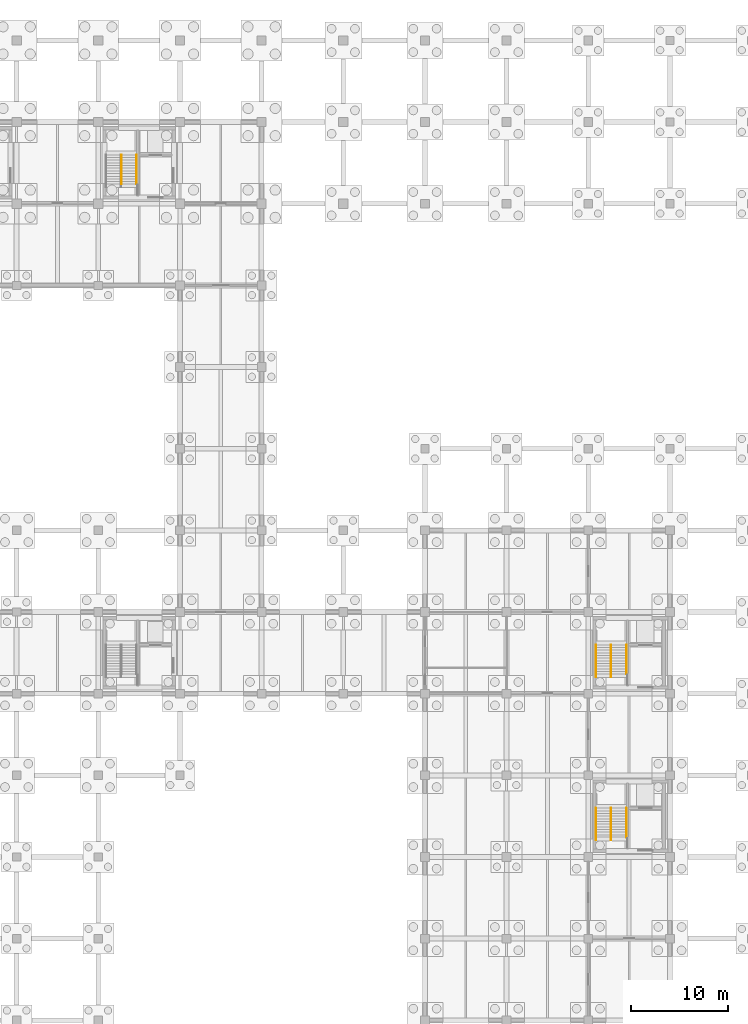
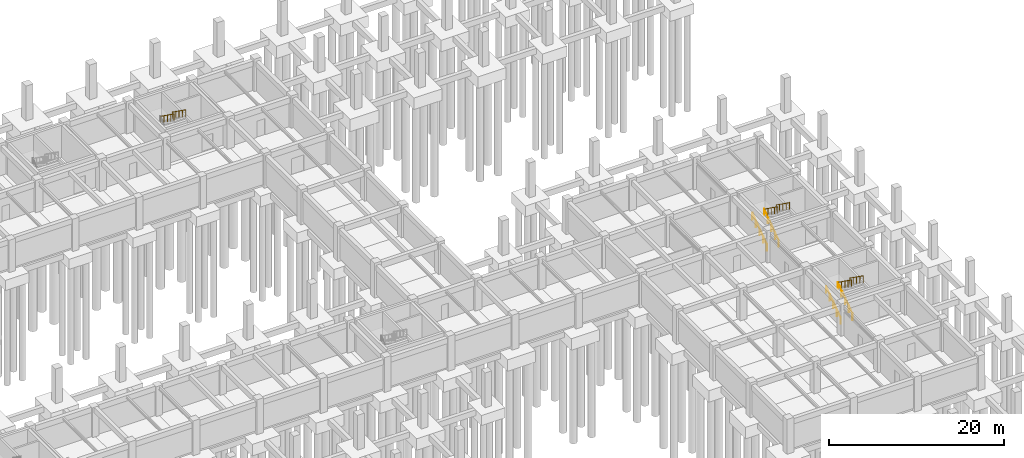
# One storey, part 28 of 29: 10 railings.
"""IFC4 building model written with IfcOpenShell, lengths in metres."""

from ifc_helpers import new_model, si_unit, direction, frame, origin, origin_2d, place, context, subcontext, project, spatial, circle, extrude, material, type_object, element, save


model = new_model("IFC4")

# Units and contexts
model_context = context("Model", 3, precision=1e-05, world=origin(), true_north=direction((0.0, 1.0)))
body_context = subcontext(model_context, "Body", "Model", "MODEL_VIEW")
ifc_project = project(units=[si_unit("LENGTHUNIT", "METRE"), si_unit("AREAUNIT", "SQUARE_METRE"), si_unit("VOLUMEUNIT", "CUBIC_METRE"), si_unit("PLANEANGLEUNIT", "RADIAN"), si_unit("MASSUNIT", "GRAM", prefix="KILO")], contexts=[model_context])

# Site, building, storey
site_placement = place(None, origin())
site = spatial("IfcSite", under=ifc_project, at=site_placement, CompositionType="ELEMENT")
building_placement = place(site_placement, origin())
building = spatial("IfcBuilding", under=site, at=building_placement, Name="Porcellanite Civic Hall", CompositionType="ELEMENT")
storey_placement = place(building_placement, frame((0.0, 0.0, -4.5)))
storey = spatial("IfcBuildingStorey", under=building, at=storey_placement, Name="B1", CompositionType="ELEMENT", Elevation=-4.5)

# Railings
ifc_material_1 = material(Name="Brushed stainless steel 316", Category="steel")
railing_type_1 = type_object("IfcRailingType", Name="RL-HR920", PredefinedType="HANDRAIL", material=ifc_material_1)
railing_1_placement = place(storey_placement, frame((111.56494140625, 105.824951171875, 2.340087890625)))
element("IfcRailing", 1, at=railing_1_placement, inside=storey, type_object=railing_type_1, Name="Stair handrail ST-04 B1 3", PredefinedType="HANDRAIL", context=body_context, shape_type="SweptSolid", body=[
    extrude(circle(Radius=0.02197265625, at=origin_2d()), frame((0.0, 0.0, 0.89794921875), z_axis=(0.0, -0.813826661234, 0.581107705564), x_axis=(1.0, 0.0, 0.0)), (0.0, 0.0, 1.0), 3.716796875),
    extrude(circle(Radius=0.01904296875, at=origin_2d()), origin(), (0.0, 0.0, 1.0), 0.8759765625),
    extrude(circle(Radius=0.01904296875, at=origin_2d()), frame((0.0, -0.75634765625, 0.5400390625)), (0.0, 0.0, 1.0), 0.8759765625),
    extrude(circle(Radius=0.01904296875, at=origin_2d()), frame((0.0, -1.512451171875, 1.080078125)), (0.0, 0.0, 1.0), 0.8759765625),
    extrude(circle(Radius=0.01904296875, at=origin_2d()), frame((0.0, -2.2685546875, 1.619873046875)), (0.0, 0.0, 1.0), 0.8759765625),
    extrude(circle(Radius=0.01904296875, at=origin_2d()), frame((0.0, -3.02490234375, 2.159912109375)), (0.0, 0.0, 1.0), 0.8759765625),
])
railing_2_placement = place(storey_placement, frame((160.385009765625, 35.324951171875, 0.0)))
element("IfcRailing", 2, at=railing_2_placement, inside=storey, type_object=railing_type_1, Name="Stair handrail ST-07 B1 1", PredefinedType="HANDRAIL", context=body_context, shape_type="SweptSolid", body=[
    extrude(circle(Radius=0.02197265625, at=origin_2d()), frame((0.0, 0.0, 0.89794921875), z_axis=(0.0, 0.815726678323, 0.578437538782), x_axis=(-1.0, 0.0, 0.0)), (0.0, 0.0, 1.0), 4.045654296875),
    extrude(circle(Radius=0.01904296875, at=origin_2d()), origin(), (0.0, 0.0, 1.0), 0.8759765625),
    extrude(circle(Radius=0.01904296875, at=origin_2d()), frame((0.0, 0.824951171875, 0.5849609375)), (0.0, 0.0, 1.0), 0.8759765625),
    extrude(circle(Radius=0.01904296875, at=origin_2d()), frame((0.0, 1.64990234375, 1.169921875)), (0.0, 0.0, 1.0), 0.8759765625),
    extrude(circle(Radius=0.01904296875, at=origin_2d()), frame((0.0, 2.47509765625, 1.755126953125)), (0.0, 0.0, 1.0), 0.8759765625),
    extrude(circle(Radius=0.01904296875, at=origin_2d()), frame((0.0, 3.300048828125, 2.340087890625)), (0.0, 0.0, 1.0), 0.8759765625),
])
railing_3_placement = place(storey_placement, frame((161.965087890625, 38.625, 2.340087890625)))
element("IfcRailing", 3, at=railing_3_placement, inside=storey, type_object=railing_type_1, Name="Stair handrail ST-07 B1 3", PredefinedType="HANDRAIL", context=body_context, shape_type="SweptSolid", body=[
    extrude(circle(Radius=0.02197265625, at=origin_2d()), frame((0.0, 0.0, 0.89794921875), z_axis=(0.0, -0.813826661234, 0.581107705564), x_axis=(1.0, 0.0, 0.0)), (0.0, 0.0, 1.0), 3.716796875),
    extrude(circle(Radius=0.01904296875, at=origin_2d()), origin(), (0.0, 0.0, 1.0), 0.8759765625),
    extrude(circle(Radius=0.01904296875, at=origin_2d()), frame((0.0, -0.75634765625, 0.5400390625)), (0.0, 0.0, 1.0), 0.8759765625),
    extrude(circle(Radius=0.01904296875, at=origin_2d()), frame((0.0, -1.512451171875, 1.080078125)), (0.0, 0.0, 1.0), 0.8759765625),
    extrude(circle(Radius=0.01904296875, at=origin_2d()), frame((0.0, -2.2685546875, 1.619873046875)), (0.0, 0.0, 1.0), 0.8759765625),
    extrude(circle(Radius=0.01904296875, at=origin_2d()), frame((0.0, -3.02490234375, 2.159912109375)), (0.0, 0.0, 1.0), 0.8759765625),
])
railing_4_placement = place(storey_placement, frame((160.385009765625, 52.125, 0.0)))
element("IfcRailing", 4, at=railing_4_placement, inside=storey, type_object=railing_type_1, Name="Stair handrail ST-08 B1 1", PredefinedType="HANDRAIL", context=body_context, shape_type="SweptSolid", body=[
    extrude(circle(Radius=0.02197265625, at=origin_2d()), frame((0.0, 0.0, 0.89794921875), z_axis=(0.0, 0.815726678323, 0.578437538782), x_axis=(-1.0, 0.0, 0.0)), (0.0, 0.0, 1.0), 4.045654296875),
    extrude(circle(Radius=0.01904296875, at=origin_2d()), origin(), (0.0, 0.0, 1.0), 0.8759765625),
    extrude(circle(Radius=0.01904296875, at=origin_2d()), frame((0.0, 0.824951171875, 0.5849609375)), (0.0, 0.0, 1.0), 0.8759765625),
    extrude(circle(Radius=0.01904296875, at=origin_2d()), frame((0.0, 1.64990234375, 1.169921875)), (0.0, 0.0, 1.0), 0.8759765625),
    extrude(circle(Radius=0.01904296875, at=origin_2d()), frame((0.0, 2.47509765625, 1.755126953125)), (0.0, 0.0, 1.0), 0.8759765625),
    extrude(circle(Radius=0.01904296875, at=origin_2d()), frame((0.0, 3.300048828125, 2.340087890625)), (0.0, 0.0, 1.0), 0.8759765625),
])
railing_5_placement = place(storey_placement, frame((161.965087890625, 55.425048828125, 2.340087890625)))
element("IfcRailing", 5, at=railing_5_placement, inside=storey, type_object=railing_type_1, Name="Stair handrail ST-08 B1 3", PredefinedType="HANDRAIL", context=body_context, shape_type="SweptSolid", body=[
    extrude(circle(Radius=0.02197265625, at=origin_2d()), frame((0.0, 0.0, 0.89794921875), z_axis=(0.0, -0.813848840085, 0.581076643389), x_axis=(1.0, 0.0, 0.0)), (0.0, 0.0, 1.0), 3.717041015625),
    extrude(circle(Radius=0.01904296875, at=origin_2d()), origin(), (0.0, 0.0, 1.0), 0.8759765625),
    extrude(circle(Radius=0.01904296875, at=origin_2d()), frame((0.0, -0.75634765625, 0.5400390625)), (0.0, 0.0, 1.0), 0.8759765625),
    extrude(circle(Radius=0.01904296875, at=origin_2d()), frame((0.0, -1.5126953125, 1.080078125)), (0.0, 0.0, 1.0), 0.8759765625),
    extrude(circle(Radius=0.01904296875, at=origin_2d()), frame((0.0, -2.268798828125, 1.619873046875)), (0.0, 0.0, 1.0), 0.8759765625),
    extrude(circle(Radius=0.01904296875, at=origin_2d()), frame((0.0, -3.025146484375, 2.159912109375)), (0.0, 0.0, 1.0), 0.8759765625),
])
ifc_material_2 = material(Name="Brushed stainless steel 316", Category="steel")
railing_type_2 = type_object("IfcRailingType", Name="RL-HR950", PredefinedType="HANDRAIL", material=ifc_material_2)
railing_6_placement = place(storey_placement, frame((113.114990234375, 105.824951171875, 2.340087890625)))
element("IfcRailing", 6, at=railing_6_placement, inside=storey, type_object=railing_type_2, Name="Stair handrail ST-04 B1 4", PredefinedType="HANDRAIL", context=body_context, shape_type="SweptSolid", body=[
    extrude(circle(Radius=0.02197265625, at=origin_2d()), frame((0.0, 0.0, 0.927978515625), z_axis=(0.0, -0.813826661234, 0.581107705564), x_axis=(1.0, 0.0, 0.0)), (0.0, 0.0, 1.0), 3.716796875),
    extrude(circle(Radius=0.01904296875, at=origin_2d()), origin(), (0.0, 0.0, 1.0), 0.906005859375),
    extrude(circle(Radius=0.01904296875, at=origin_2d()), frame((0.0, -0.75634765625, 0.5400390625)), (0.0, 0.0, 1.0), 0.906005859375),
    extrude(circle(Radius=0.01904296875, at=origin_2d()), frame((0.0, -1.512451171875, 1.080078125)), (0.0, 0.0, 1.0), 0.906005859375),
    extrude(circle(Radius=0.01904296875, at=origin_2d()), frame((0.0, -2.2685546875, 1.619873046875)), (0.0, 0.0, 1.0), 0.906005859375),
    extrude(circle(Radius=0.01904296875, at=origin_2d()), frame((0.0, -3.02490234375, 2.159912109375)), (0.0, 0.0, 1.0), 0.906005859375),
])
railing_7_placement = place(storey_placement, frame((161.93505859375, 35.324951171875, 0.0)))
element("IfcRailing", 7, at=railing_7_placement, inside=storey, type_object=railing_type_2, Name="Stair handrail ST-07 B1 2", PredefinedType="HANDRAIL", context=body_context, shape_type="SweptSolid", body=[
    extrude(circle(Radius=0.02197265625, at=origin_2d()), frame((0.0, 0.0, 0.927978515625), z_axis=(0.0, 0.815726678323, 0.578437538782), x_axis=(-1.0, 0.0, 0.0)), (0.0, 0.0, 1.0), 4.045654296875),
    extrude(circle(Radius=0.01904296875, at=origin_2d()), origin(), (0.0, 0.0, 1.0), 0.906005859375),
    extrude(circle(Radius=0.01904296875, at=origin_2d()), frame((0.0, 0.824951171875, 0.5849609375)), (0.0, 0.0, 1.0), 0.906005859375),
    extrude(circle(Radius=0.01904296875, at=origin_2d()), frame((0.0, 1.64990234375, 1.169921875)), (0.0, 0.0, 1.0), 0.906005859375),
    extrude(circle(Radius=0.01904296875, at=origin_2d()), frame((0.0, 2.47509765625, 1.755126953125)), (0.0, 0.0, 1.0), 0.906005859375),
    extrude(circle(Radius=0.01904296875, at=origin_2d()), frame((0.0, 3.300048828125, 2.340087890625)), (0.0, 0.0, 1.0), 0.906005859375),
])
railing_8_placement = place(storey_placement, frame((163.514892578125, 38.625, 2.340087890625)))
element("IfcRailing", 8, at=railing_8_placement, inside=storey, type_object=railing_type_2, Name="Stair handrail ST-07 B1 4", PredefinedType="HANDRAIL", context=body_context, shape_type="SweptSolid", body=[
    extrude(circle(Radius=0.02197265625, at=origin_2d()), frame((0.0, 0.0, 0.927978515625), z_axis=(0.0, -0.813826661234, 0.581107705564), x_axis=(1.0, 0.0, 0.0)), (0.0, 0.0, 1.0), 3.716796875),
    extrude(circle(Radius=0.01904296875, at=origin_2d()), origin(), (0.0, 0.0, 1.0), 0.906005859375),
    extrude(circle(Radius=0.01904296875, at=origin_2d()), frame((0.0, -0.75634765625, 0.5400390625)), (0.0, 0.0, 1.0), 0.906005859375),
    extrude(circle(Radius=0.01904296875, at=origin_2d()), frame((0.0, -1.512451171875, 1.080078125)), (0.0, 0.0, 1.0), 0.906005859375),
    extrude(circle(Radius=0.01904296875, at=origin_2d()), frame((0.0, -2.2685546875, 1.619873046875)), (0.0, 0.0, 1.0), 0.906005859375),
    extrude(circle(Radius=0.01904296875, at=origin_2d()), frame((0.0, -3.02490234375, 2.159912109375)), (0.0, 0.0, 1.0), 0.906005859375),
])
railing_9_placement = place(storey_placement, frame((161.93505859375, 52.125, 0.0)))
element("IfcRailing", 9, at=railing_9_placement, inside=storey, type_object=railing_type_2, Name="Stair handrail ST-08 B1 2", PredefinedType="HANDRAIL", context=body_context, shape_type="SweptSolid", body=[
    extrude(circle(Radius=0.02197265625, at=origin_2d()), frame((0.0, 0.0, 0.927978515625), z_axis=(0.0, 0.815726678323, 0.578437538782), x_axis=(-1.0, 0.0, 0.0)), (0.0, 0.0, 1.0), 4.045654296875),
    extrude(circle(Radius=0.01904296875, at=origin_2d()), origin(), (0.0, 0.0, 1.0), 0.906005859375),
    extrude(circle(Radius=0.01904296875, at=origin_2d()), frame((0.0, 0.824951171875, 0.5849609375)), (0.0, 0.0, 1.0), 0.906005859375),
    extrude(circle(Radius=0.01904296875, at=origin_2d()), frame((0.0, 1.64990234375, 1.169921875)), (0.0, 0.0, 1.0), 0.906005859375),
    extrude(circle(Radius=0.01904296875, at=origin_2d()), frame((0.0, 2.47509765625, 1.755126953125)), (0.0, 0.0, 1.0), 0.906005859375),
    extrude(circle(Radius=0.01904296875, at=origin_2d()), frame((0.0, 3.300048828125, 2.340087890625)), (0.0, 0.0, 1.0), 0.906005859375),
])
railing_10_placement = place(storey_placement, frame((163.514892578125, 55.425048828125, 2.340087890625)))
element("IfcRailing", 10, at=railing_10_placement, inside=storey, type_object=railing_type_2, Name="Stair handrail ST-08 B1 4", PredefinedType="HANDRAIL", context=body_context, shape_type="SweptSolid", body=[
    extrude(circle(Radius=0.02197265625, at=origin_2d()), frame((0.0, 0.0, 0.927978515625), z_axis=(0.0, -0.813848840085, 0.581076643389), x_axis=(1.0, 0.0, 0.0)), (0.0, 0.0, 1.0), 3.717041015625),
    extrude(circle(Radius=0.01904296875, at=origin_2d()), origin(), (0.0, 0.0, 1.0), 0.906005859375),
    extrude(circle(Radius=0.01904296875, at=origin_2d()), frame((0.0, -0.75634765625, 0.5400390625)), (0.0, 0.0, 1.0), 0.906005859375),
    extrude(circle(Radius=0.01904296875, at=origin_2d()), frame((0.0, -1.5126953125, 1.080078125)), (0.0, 0.0, 1.0), 0.906005859375),
    extrude(circle(Radius=0.01904296875, at=origin_2d()), frame((0.0, -2.268798828125, 1.619873046875)), (0.0, 0.0, 1.0), 0.906005859375),
    extrude(circle(Radius=0.01904296875, at=origin_2d()), frame((0.0, -3.025146484375, 2.159912109375)), (0.0, 0.0, 1.0), 0.906005859375),
])

save(model, "model.ifc")
